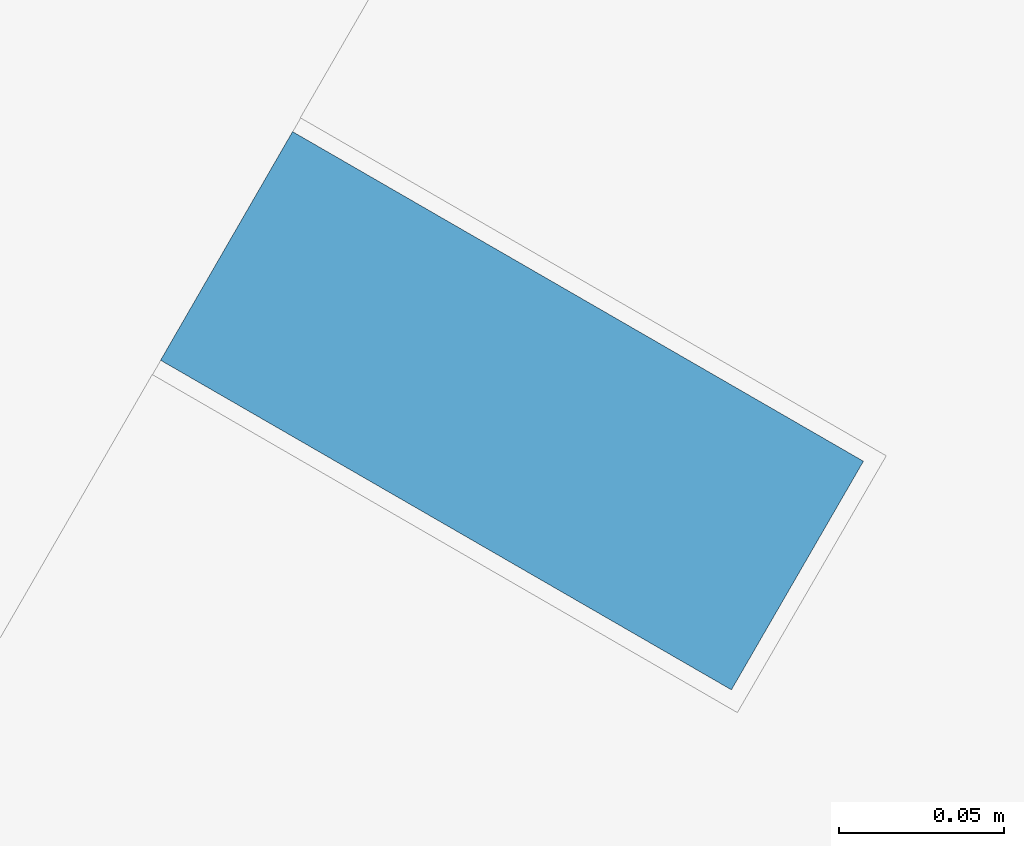
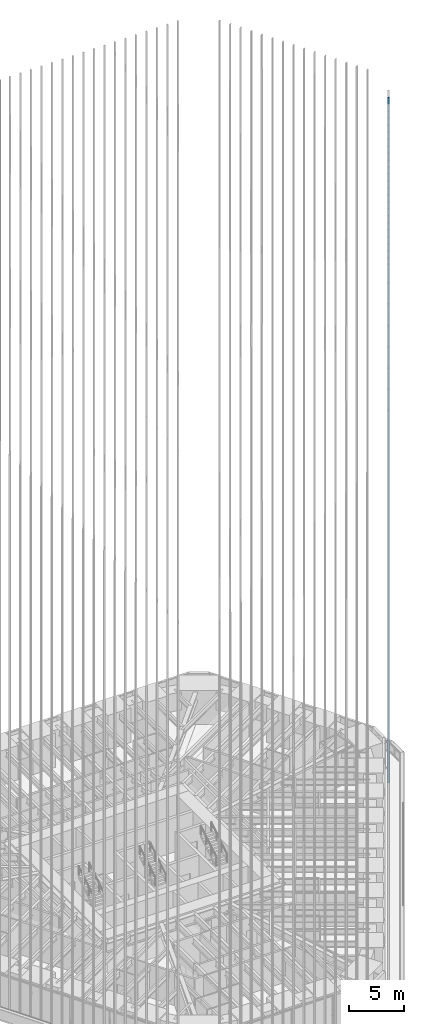
# One storey, part 178 of 238: 1 member, 1 element without a shape of its own.
"""IFC4 building model written with IfcOpenShell, lengths in metres."""

from ifc_helpers import new_model, si_unit, direction, frame, origin, origin_2d, place, context, subcontext, project, spatial, rectangle, extrude, material, material_profile, profile_set, type_object, element, aggregate, save


model = new_model("IFC4")

# Units and contexts
model_context = context("Model", 3, precision=1e-05, world=origin(), true_north=direction((0.0, 1.0)))
body_context = subcontext(model_context, "Body", "Model", "MODEL_VIEW")
ifc_project = project(units=[si_unit("LENGTHUNIT", "METRE"), si_unit("AREAUNIT", "SQUARE_METRE"), si_unit("VOLUMEUNIT", "CUBIC_METRE"), si_unit("PLANEANGLEUNIT", "RADIAN"), si_unit("MASSUNIT", "GRAM", prefix="KILO")], contexts=[model_context])

# Site, building, storey
site_placement = place(None, origin())
site = spatial("IfcSite", under=ifc_project, at=site_placement, CompositionType="ELEMENT")
building_placement = place(site_placement, origin())
building = spatial("IfcBuilding", under=site, at=building_placement, Name="Sandreach Pilgrim Tower", CompositionType="ELEMENT")
storey_placement = place(building_placement, frame((0.0, 0.0, 96.800048828125)))
storey = spatial("IfcBuildingStorey", under=building, at=storey_placement, Name="L23", CompositionType="ELEMENT", Elevation=96.800048828125)

# Curtain wall, member
ifc_material_1 = material(Name="Aluminium framed curtain wall", Category="aluminium")
curtain_wall_type = type_object("IfcCurtainWallType", Name="Hotel tower curtain wall", PredefinedType="NOTDEFINED", material=ifc_material_1)
curtain_wall_placement = place(storey_placement, origin())
curtain_wall = element("IfcCurtainWall", 1, at=curtain_wall_placement, inside=storey, type_object=curtain_wall_type, Name="CW-2 L23 SE", PredefinedType="NOTDEFINED")
ifc_material_2 = material(Name="Extruded terracotta on aluminium core", Category="masonry")
ifc_material_profile = material_profile(ifc_material_2, rectangle(XDim=0.080078125, YDim=0.199951171875, at=origin_2d()), Name="TBE 80X200")
ifc_profile_set = profile_set([ifc_material_profile], Name="Extruded terracotta on aluminium core")
member_type = type_object("IfcMemberType", Name="Terracotta baguette east", PredefinedType="USERDEFINED", material=ifc_profile_set)
member_placement = place(storey_placement, frame((28.08203125, 2.85205078125, 0.0), z_axis=(0.0, 0.0, 1.0), x_axis=(-0.5, -0.866025403784, 0.0)))
member = element("IfcMember", 2, at=member_placement, type_object=member_type, Name="Baguette Z2 SE02", ObjectType="BAGUETTE", PredefinedType="USERDEFINED", context=body_context, shape_type="SweptSolid", body=[
    extrude(rectangle(XDim=0.080078125, YDim=0.199951171875, at=origin_2d()), origin(), (0.0, 0.0, 1.0), 75.83984375),
])
aggregate(curtain_wall, [member])

save(model, "model.ifc")
